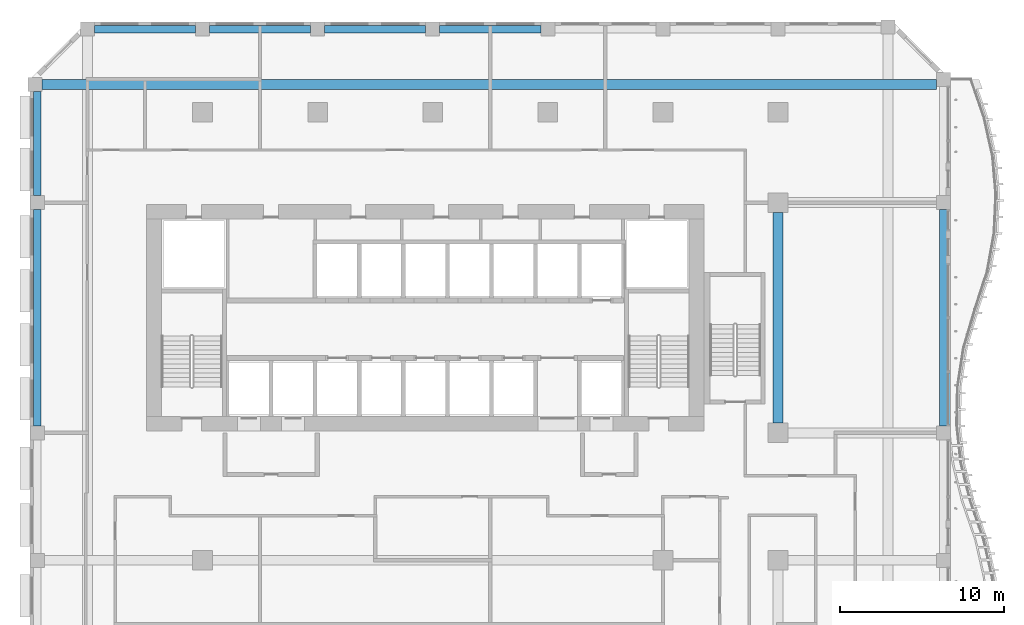
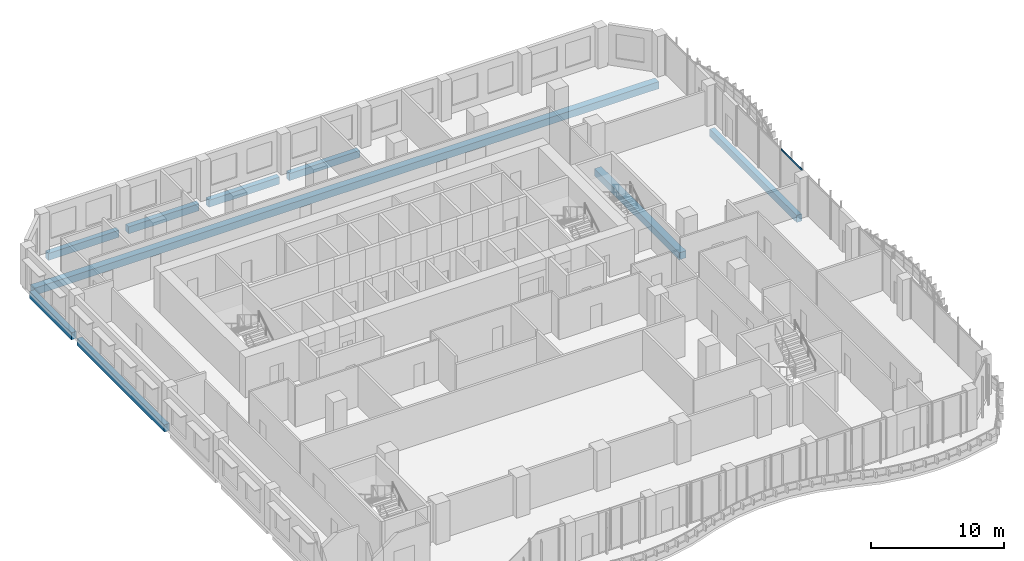
# One storey, part 7 of 25: 9 beams, 1 member, 1 element without a shape of its own.
"""IFC4 building model written with IfcOpenShell, lengths in metres."""

from ifc_helpers import new_model, si_unit, direction, frame, origin, origin_2d, place, context, subcontext, project, spatial, rectangle, extrude, source, transform, mapped, material, material_profile, profile_set, type_object, element, aggregate, save


model = new_model("IFC4")

# Units and contexts
model_context = context("Model", 3, precision=1e-05, world=origin(), true_north=direction((0.0, 1.0)))
body_context = subcontext(model_context, "Body", "Model", "MODEL_VIEW")
ifc_project = project(units=[si_unit("LENGTHUNIT", "METRE"), si_unit("AREAUNIT", "SQUARE_METRE"), si_unit("VOLUMEUNIT", "CUBIC_METRE"), si_unit("PLANEANGLEUNIT", "RADIAN"), si_unit("MASSUNIT", "GRAM", prefix="KILO")], contexts=[model_context])

# Site, building, storey
site_placement = place(None, origin())
site = spatial("IfcSite", under=ifc_project, at=site_placement, CompositionType="ELEMENT")
building_placement = place(site_placement, origin())
building = spatial("IfcBuilding", under=site, at=building_placement, Name="Kilnfold Tower and Market Hall", CompositionType="ELEMENT")
storey_placement = place(building_placement, frame((0.0, 0.0, 120.60009765625)))
storey = spatial("IfcBuildingStorey", under=building, at=storey_placement, Name="L28", CompositionType="ELEMENT", Elevation=120.60009765625)

# Beams
ifc_material_1 = material(Name="Concrete C45", Category="concrete")
ifc_material_profile_1 = material_profile(ifc_material_1, rectangle(XDim=0.449951171875, YDim=0.64990234375, at=origin_2d()), Name="RC 450x650")
ifc_profile_set_1 = profile_set([ifc_material_profile_1], Name="Concrete C45")
beam_type_1 = type_object("IfcBeamType", Name="EDGE BEAM 450X650 C45", PredefinedType="BEAM", material=ifc_profile_set_1)
shared_shape_1 = source(origin(), body_context, "Body", "SweptSolid", [
    extrude(rectangle(XDim=0.449951171875, YDim=0.64990234375, at=origin_2d()), origin(), (0.0, 0.0, 1.0), 6.14990234375),
])
for number, where, z_axis, x_axis, name in (
    (1, (-19.074951171875, 32.550048828125, -0.60498046875), (1.0, 0.0, 0.0), (0.0, 1.0, 0.0), "Beam EB650-B3.67"),
    (2, (-12.074951171875, 32.550048828125, -0.60498046875), (1.0, 0.0, 0.0), (0.0, 1.0, 0.0), "Beam EB650-B3.68"),
    (3, (-5.074951171875, 32.550048828125, -0.60498046875), (1.0, 0.0, 0.0), (0.0, 1.0, 0.0), "Beam EB650-B3.69"),
    (4, (1.925048828125, 32.550048828125, -0.60498046875), (1.0, 0.0, 0.0), (0.0, 1.0, 0.0), "Beam EB650-B3.70"),
):
    element("IfcBeam", number, at=place(storey_placement, frame(where, z_axis=z_axis, x_axis=x_axis)), inside=storey, type_object=beam_type_1, Name=name, PredefinedType="BEAM", context=body_context, shape_type="MappedRepresentation", body=[
        mapped(shared_shape_1, transform((0.0, 0.0, 0.0))),
    ])
ifc_material_2 = material(Name="Concrete C45", Category="concrete")
ifc_material_profile_2 = material_profile(ifc_material_2, rectangle(XDim=0.60009765625, YDim=0.64990234375, at=origin_2d()), Name="RC 600x650")
ifc_profile_set_2 = profile_set([ifc_material_profile_2], Name="Concrete C45")
beam_type_2 = type_object("IfcBeamType", Name="BEAM 600X650 C45", PredefinedType="BEAM", material=ifc_profile_set_2)
shared_shape_2 = source(origin(), body_context, "Body", "SweptSolid", [
    extrude(rectangle(XDim=0.60009765625, YDim=0.64990234375, at=origin_2d()), origin(), (0.0, 0.0, 1.0), 54.3818359375),
])
beam_1_placement = place(storey_placement, frame((-22.2568359375, 29.179931640625, -0.60498046875), z_axis=(1.0, 0.0, 0.0), x_axis=(0.0, 1.0, 0.0)))
element("IfcBeam", 5, at=beam_1_placement, inside=storey, type_object=beam_type_2, Name="Beam BB650-B3.66", PredefinedType="BEAM", context=body_context, shape_type="MappedRepresentation", body=[
    mapped(shared_shape_2, transform((0.0, 0.0, 0.0))),
])
shared_shape_3 = source(origin(), body_context, "Body", "SweptSolid", [
    extrude(rectangle(XDim=0.449951171875, YDim=0.64990234375, at=origin_2d()), origin(), (0.0, 0.0, 1.0), 13.14990234375),
])
for number, where, z_axis, x_axis, name in (
    (6, (-22.550048828125, 8.425048828125, -0.60498046875), (0.0, 1.0, 0.0), (-1.0, 0.0, 0.0), "Beam EB650-B3.77"),
    (7, (32.550048828125, 8.425048828125, -0.60498046875), (0.0, 1.0, 0.0), (-1.0, 0.0, 0.0), "Beam EB650-B3.86"),
):
    element("IfcBeam", number, at=place(storey_placement, frame(where, z_axis=z_axis, x_axis=x_axis)), inside=storey, type_object=beam_type_1, Name=name, PredefinedType="BEAM", context=body_context, shape_type="MappedRepresentation", body=[
        mapped(shared_shape_3, transform((0.0, 0.0, 0.0))),
    ])
shared_shape_4 = source(origin(), body_context, "Body", "SweptSolid", [
    extrude(rectangle(XDim=0.449951171875, YDim=0.64990234375, at=origin_2d()), origin(), (0.0, 0.0, 1.0), 6.331787109375),
])
beam_2_placement = place(storey_placement, frame((-22.550048828125, 22.425048828125, -0.60498046875), z_axis=(0.0, 1.0, 0.0), x_axis=(-1.0, 0.0, 0.0)))
element("IfcBeam", 8, at=beam_2_placement, inside=storey, type_object=beam_type_1, Name="Beam EB650-B3.78", PredefinedType="BEAM", context=body_context, shape_type="MappedRepresentation", body=[
    mapped(shared_shape_4, transform((0.0, 0.0, 0.0))),
])
shared_shape_5 = source(origin(), body_context, "Body", "SweptSolid", [
    extrude(rectangle(XDim=0.60009765625, YDim=0.64990234375, at=origin_2d()), origin(), (0.0, 0.0, 1.0), 12.7998046875),
])
beam_3_placement = place(storey_placement, frame((22.5, 8.60009765625, -0.60498046875), z_axis=(0.0, 1.0, 0.0), x_axis=(-1.0, 0.0, 0.0)))
element("IfcBeam", 9, at=beam_3_placement, inside=storey, type_object=beam_type_2, Name="Beam BB650-B3.81", PredefinedType="BEAM", context=body_context, shape_type="MappedRepresentation", body=[
    mapped(shared_shape_5, transform((0.0, 0.0, 0.0))),
])

# Curtain wall, member
ifc_material_3 = material(Name="Aluminium and double glazing", Category="aluminium")
curtain_wall_type = type_object("IfcCurtainWallType", Name="CW OF2 VALLEY GLAZING", PredefinedType="NOTDEFINED", material=ifc_material_3)
curtain_wall_placement = place(storey_placement, origin())
curtain_wall = element("IfcCurtainWall", 10, at=curtain_wall_placement, inside=storey, type_object=curtain_wall_type, Name="Curtain wall CW2 L28 E", PredefinedType="NOTDEFINED")
ifc_material_4 = material(Name="Aluminium", Category="aluminium")
ifc_material_profile_3 = material_profile(ifc_material_4, rectangle(XDim=0.06005859375, YDim=0.159912109375, at=origin_2d()), Name="TRANSOM 60x160")
ifc_profile_set_3 = profile_set([ifc_material_profile_3], Name="Aluminium")
member_type = type_object("IfcMemberType", Name="TRANSOM 60X160", PredefinedType="USERDEFINED", material=ifc_profile_set_3)
shared_shape_6 = source(origin(), body_context, "Body", "SweptSolid", [
    extrude(rectangle(XDim=0.06005859375, YDim=0.159912109375, at=origin_2d()), origin(), (0.0, 0.0, 1.0), 3.16748046875),
])
member_placement = place(storey_placement, frame((32.85009765625, 8.485107421875, 3.68994140625), z_axis=(0.0, 1.0, 0.0), x_axis=(-1.0, 0.0, 0.0)))
member = element("IfcMember", 11, at=member_placement, type_object=member_type, Name="CW2 transom 1.2", ObjectType="TRANSOM", PredefinedType="USERDEFINED", context=body_context, shape_type="MappedRepresentation", body=[
    mapped(shared_shape_6, transform((0.0, 0.0, 0.0))),
])
aggregate(curtain_wall, [member])

save(model, "model.ifc")
